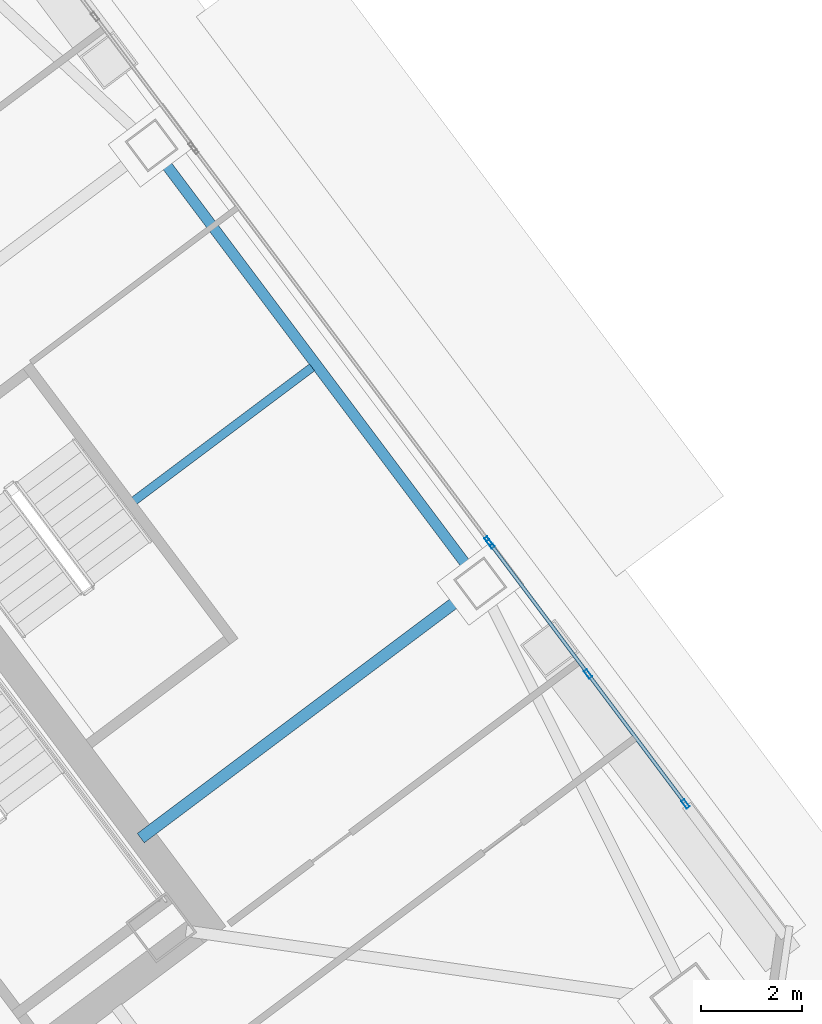
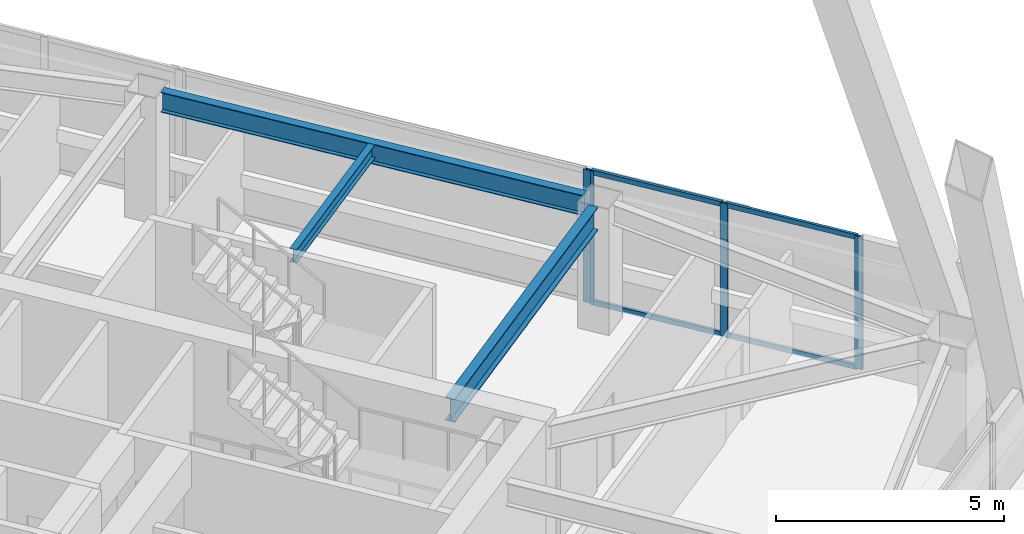
# One storey, part 44 of 65: 8 members, 3 beams, 2 elements without a shape of their own.
"""IFC4 building model written with IfcOpenShell, lengths in metres."""

from ifc_helpers import new_model, si_unit, direction, frame, origin, origin_2d, place, context, subcontext, project, spatial, hollow_rectangle, i_section, extrude, material, material_profile, profile_set, type_object, element, aggregate, save


model = new_model("IFC4")

# Units and contexts
model_context = context("Model", 3, precision=1e-05, world=origin(), true_north=direction((0.0, 1.0)))
body_context = subcontext(model_context, "Body", "Model", "MODEL_VIEW")
ifc_project = project(units=[si_unit("LENGTHUNIT", "METRE"), si_unit("AREAUNIT", "SQUARE_METRE"), si_unit("VOLUMEUNIT", "CUBIC_METRE"), si_unit("PLANEANGLEUNIT", "RADIAN"), si_unit("MASSUNIT", "GRAM", prefix="KILO")], contexts=[model_context])

# Site, building, storey
site_placement = place(None, origin())
site = spatial("IfcSite", under=ifc_project, at=site_placement, CompositionType="ELEMENT")
building_placement = place(site_placement, origin())
building = spatial("IfcBuilding", under=site, at=building_placement, Name="Tashvorn Skyway Center", CompositionType="ELEMENT")
storey_placement = place(building_placement, frame((0.0, 0.0, 157.0)))
storey = spatial("IfcBuildingStorey", under=building, at=storey_placement, Name="L42", CompositionType="ELEMENT", Elevation=157.0)

# Beams
ifc_material_1 = material(Name="Steel ASTM A992 Grade 50", Category="steel")
ifc_material_profile_1 = material_profile(ifc_material_1, i_section(OverallWidth=0.22998046875, OverallDepth=0.616943359375, WebThickness=0.01318359375, FlangeThickness=0.022216796875, at=origin_2d()), Name="W24X94")
ifc_profile_set_1 = profile_set([ifc_material_profile_1], Name="Steel ASTM A992 Grade 50")
beam_type_1 = type_object("IfcBeamType", Name="BM-BEAM-W24X94", PredefinedType="BEAM", material=ifc_profile_set_1)
beam_1_placement = place(storey_placement, frame((129.864013671875, 37.14794921875, 3.0615234375), z_axis=(-0.799992675677, -0.60000976564, 0.0), x_axis=(0.60000976564, -0.799992675677, 0.0)))
element("IfcBeam", 1, at=beam_1_placement, inside=storey, type_object=beam_type_1, Name="Tower 2 L42 Primary Floor Girder FC-E1", PredefinedType="BEAM", context=body_context, shape_type="SweptSolid", body=[
    extrude(i_section(OverallWidth=0.22998046875, OverallDepth=0.616943359375, WebThickness=0.01318359375, FlangeThickness=0.022216796875, at=origin_2d()), origin(), (0.0, 0.0, 1.0), 8.0),
])
ifc_material_profile_2 = material_profile(ifc_material_1, i_section(OverallWidth=0.1708984375, OverallDepth=0.35498046875, WebThickness=0.007080078125, FlangeThickness=0.01171875, at=origin_2d()), Name="W14X34")
ifc_profile_set_2 = profile_set([ifc_material_profile_2], Name="Steel ASTM A992 Grade 50")
beam_type_2 = type_object("IfcBeamType", Name="BM-JOIST-W14X34", PredefinedType="JOIST", material=ifc_profile_set_2)
beam_2_placement = place(storey_placement, frame((123.3359375, 39.001953125, 3.1923828125), z_axis=(0.799993315235, 0.600008912917, 0.0), x_axis=(-0.600008912917, 0.799993315235, 0.0)))
element("IfcBeam", 2, at=beam_2_placement, inside=storey, type_object=beam_type_2, Name="Tower 2 L42 Secondary Composite Joist JE", PredefinedType="JOIST", context=body_context, shape_type="SweptSolid", body=[
    extrude(i_section(OverallWidth=0.1708984375, OverallDepth=0.35498046875, WebThickness=0.007080078125, FlangeThickness=0.01171875, at=origin_2d()), origin(), (0.0, 0.0, 1.0), 4.382568359375),
])
ifc_material_profile_3 = material_profile(ifc_material_1, i_section(OverallWidth=0.2109375, OverallDepth=0.5390625, WebThickness=0.01171875, FlangeThickness=0.018798828125, at=origin_2d()), Name="W21X73")
ifc_profile_set_3 = profile_set([ifc_material_profile_3], Name="Steel ASTM A992 Grade 50")
beam_type_3 = type_object("IfcBeamType", Name="BM-SPANDREL-W21X73", PredefinedType="SPANDREL", material=ifc_profile_set_3)
beam_3_placement = place(storey_placement, frame((129.93798828125, 37.666015625, 3.1005859375), z_axis=(-0.599988351091, 0.800008736549, 0.0), x_axis=(-0.800008736549, -0.599988351091, 0.0)))
element("IfcBeam", 3, at=beam_3_placement, inside=storey, type_object=beam_type_3, Name="Tower 2 L42 Spandrel Beam 05", PredefinedType="SPANDREL", context=body_context, shape_type="SweptSolid", body=[
    extrude(i_section(OverallWidth=0.2109375, OverallDepth=0.5390625, WebThickness=0.01171875, FlangeThickness=0.018798828125, at=origin_2d()), origin(), (0.0, 0.0, 1.0), 10.06005859375),
])

# Curtain wall, member
ifc_material_2 = material(Name="Thermally broken bronze-anodized aluminium 6063-T6", Category="aluminium")
curtain_wall_type = type_object("IfcCurtainWallType", Name="CW-CW-Z4", PredefinedType="NOTDEFINED", material=ifc_material_2)
curtain_wall_1_placement = place(storey_placement, origin())
curtain_wall_1 = element("IfcCurtainWall", 4, at=curtain_wall_1_placement, inside=storey, type_object=curtain_wall_type, Name="Tower 2 L42 East Unitised Curtain Wall Glazing Group 2", PredefinedType="NOTDEFINED")
ifc_material_profile_4 = material_profile(ifc_material_2, hollow_rectangle(XDim=0.070068359375, YDim=0.179931640625, WallThickness=0.00390625, at=origin_2d()), Name="ALU-MULL-70x180")
ifc_profile_set_4 = profile_set([ifc_material_profile_4], Name="Thermally broken bronze-anodized aluminium 6063-T6")
member_type_1 = type_object("IfcMemberType", Name="CWM-CW-Z4", PredefinedType="MULLION", material=ifc_profile_set_4)
member_1_placement = place(storey_placement, frame((130.319091796875, 38.2080078125, 0.0), z_axis=(0.0, 0.0, 1.0), x_axis=(0.799999999998, 0.600000000002, 0.0)))
member_1 = element("IfcMember", 5, at=member_1_placement, type_object=member_type_1, Name="CW-Z4 mullion 2", PredefinedType="MULLION", context=body_context, shape_type="SweptSolid", body=[
    extrude(hollow_rectangle(XDim=0.070068359375, YDim=0.179931640625, WallThickness=0.00390625, at=origin_2d()), origin(), (0.0, 0.0, 1.0), 3.550048828125),
])
aggregate(curtain_wall_1, [member_1])

# Curtain wall, members
curtain_wall_2_placement = place(storey_placement, origin())
curtain_wall_2 = element("IfcCurtainWall", 6, at=curtain_wall_2_placement, inside=storey, type_object=curtain_wall_type, Name="Tower 2 L42 East Unitised Curtain Wall Glazing Group 3", PredefinedType="NOTDEFINED")
member_2_placement = place(storey_placement, frame((130.361083984375, 38.152099609375, 0.0), z_axis=(0.0, 0.0, 1.0), x_axis=(0.799999999998, 0.600000000002, 0.0)))
member_2 = element("IfcMember", 7, at=member_2_placement, type_object=member_type_1, Name="CW-Z4 mullion 1", PredefinedType="MULLION", context=body_context, shape_type="SweptSolid", body=[
    extrude(hollow_rectangle(XDim=0.070068359375, YDim=0.179931640625, WallThickness=0.00390625, at=origin_2d()), origin(), (0.0, 0.0, 1.0), 3.550048828125),
])
member_3_placement = place(storey_placement, frame((132.283935546875, 35.587890625, 0.0), z_axis=(0.0, 0.0, 1.0), x_axis=(0.799999999998, 0.600000000002, 0.0)))
member_3 = element("IfcMember", 8, at=member_3_placement, type_object=member_type_1, Name="CW-Z4 mullion 2", PredefinedType="MULLION", context=body_context, shape_type="SweptSolid", body=[
    extrude(hollow_rectangle(XDim=0.070068359375, YDim=0.179931640625, WallThickness=0.00390625, at=origin_2d()), origin(), (0.0, 0.0, 1.0), 3.550048828125),
])
member_4_placement = place(storey_placement, frame((134.20703125, 33.02392578125, 0.0), z_axis=(0.0, 0.0, 1.0), x_axis=(0.799999999998, 0.600000000002, 0.0)))
member_4 = element("IfcMember", 9, at=member_4_placement, type_object=member_type_1, Name="CW-Z4 mullion 3", PredefinedType="MULLION", context=body_context, shape_type="SweptSolid", body=[
    extrude(hollow_rectangle(XDim=0.070068359375, YDim=0.179931640625, WallThickness=0.00390625, at=origin_2d()), origin(), (0.0, 0.0, 1.0), 3.550048828125),
])
ifc_material_profile_5 = material_profile(ifc_material_2, hollow_rectangle(XDim=0.070068359375, YDim=0.1298828125, WallThickness=0.00390625, at=origin_2d()), Name="ALU-TRAN-70x130")
ifc_profile_set_5 = profile_set([ifc_material_profile_5], Name="Thermally broken bronze-anodized aluminium 6063-T6")
member_type_2 = type_object("IfcMemberType", Name="CWT-CW-Z4", PredefinedType="USERDEFINED", material=ifc_profile_set_5)
member_5_placement = place(storey_placement, frame((130.382080078125, 38.1240234375, 0.034912109375), z_axis=(0.599962618496, -0.800028034763, 0.0), x_axis=(0.800028034763, 0.599962618496, 0.0)))
member_5 = element("IfcMember", 10, at=member_5_placement, type_object=member_type_2, Name="CW-Z4 transom 1.1", ObjectType="TRANSOM", PredefinedType="USERDEFINED", context=body_context, shape_type="SweptSolid", body=[
    extrude(hollow_rectangle(XDim=0.070068359375, YDim=0.1298828125, WallThickness=0.00390625, at=origin_2d()), origin(), (0.0, 0.0, 1.0), 3.135009765625),
])
member_6_placement = place(storey_placement, frame((130.382080078125, 38.1240234375, 3.514892578125), z_axis=(0.599962618496, -0.800028034763, 0.0), x_axis=(0.800028034763, 0.599962618496, 0.0)))
member_6 = element("IfcMember", 11, at=member_6_placement, type_object=member_type_2, Name="CW-Z4 transom 1.2", ObjectType="TRANSOM", PredefinedType="USERDEFINED", context=body_context, shape_type="SweptSolid", body=[
    extrude(hollow_rectangle(XDim=0.070068359375, YDim=0.1298828125, WallThickness=0.00390625, at=origin_2d()), origin(), (0.0, 0.0, 1.0), 3.135009765625),
])
member_7_placement = place(storey_placement, frame((132.304931640625, 35.56005859375, 0.034912109375), z_axis=(0.600012459628, -0.799990655127, 0.0), x_axis=(0.799990655127, 0.600012459628, 0.0)))
member_7 = element("IfcMember", 12, at=member_7_placement, type_object=member_type_2, Name="CW-Z4 transom 2.1", ObjectType="TRANSOM", PredefinedType="USERDEFINED", context=body_context, shape_type="SweptSolid", body=[
    extrude(hollow_rectangle(XDim=0.070068359375, YDim=0.1298828125, WallThickness=0.00390625, at=origin_2d()), origin(), (0.0, 0.0, 1.0), 3.135009765625),
])
member_8_placement = place(storey_placement, frame((132.304931640625, 35.56005859375, 3.514892578125), z_axis=(0.600012459628, -0.799990655127, 0.0), x_axis=(0.799990655127, 0.600012459628, 0.0)))
member_8 = element("IfcMember", 13, at=member_8_placement, type_object=member_type_2, Name="CW-Z4 transom 2.2", ObjectType="TRANSOM", PredefinedType="USERDEFINED", context=body_context, shape_type="SweptSolid", body=[
    extrude(hollow_rectangle(XDim=0.070068359375, YDim=0.1298828125, WallThickness=0.00390625, at=origin_2d()), origin(), (0.0, 0.0, 1.0), 3.135009765625),
])
aggregate(curtain_wall_2, [member_2, member_3, member_4, member_5, member_6, member_7, member_8])

save(model, "model.ifc")
